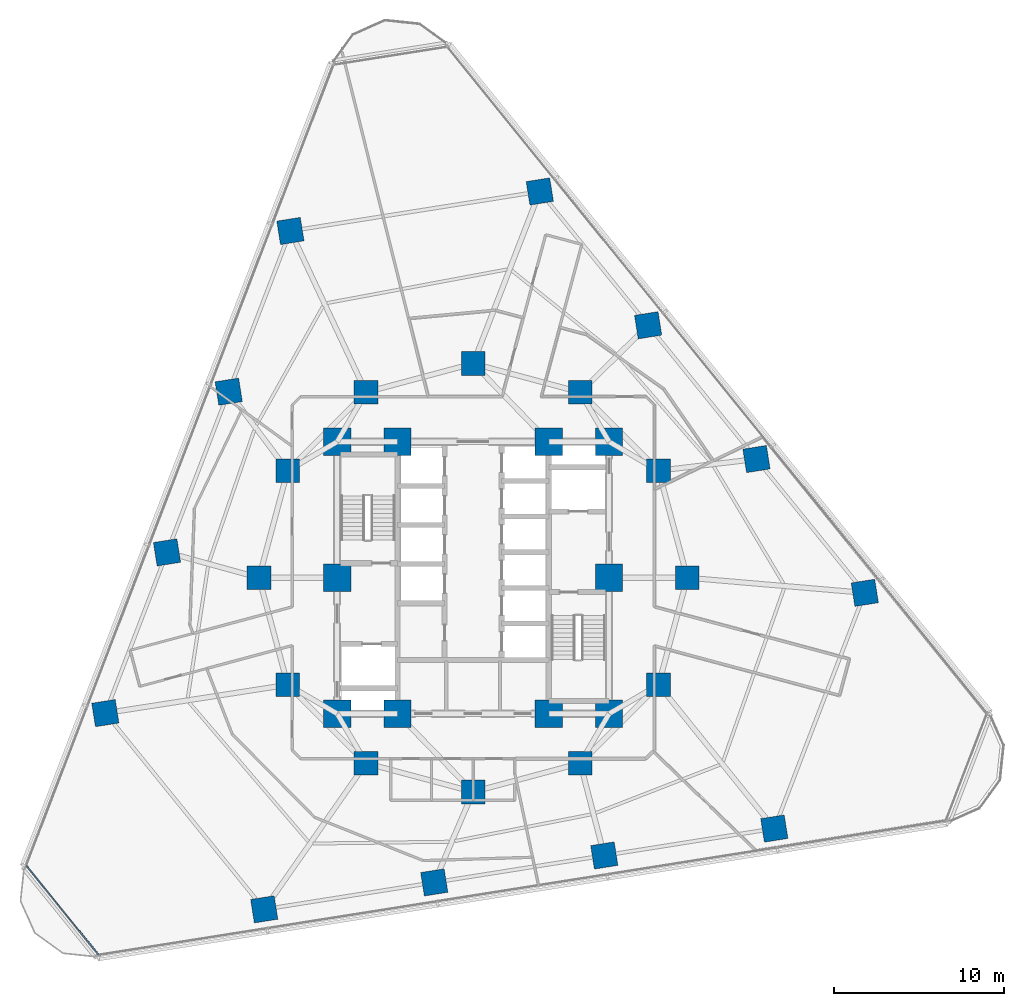
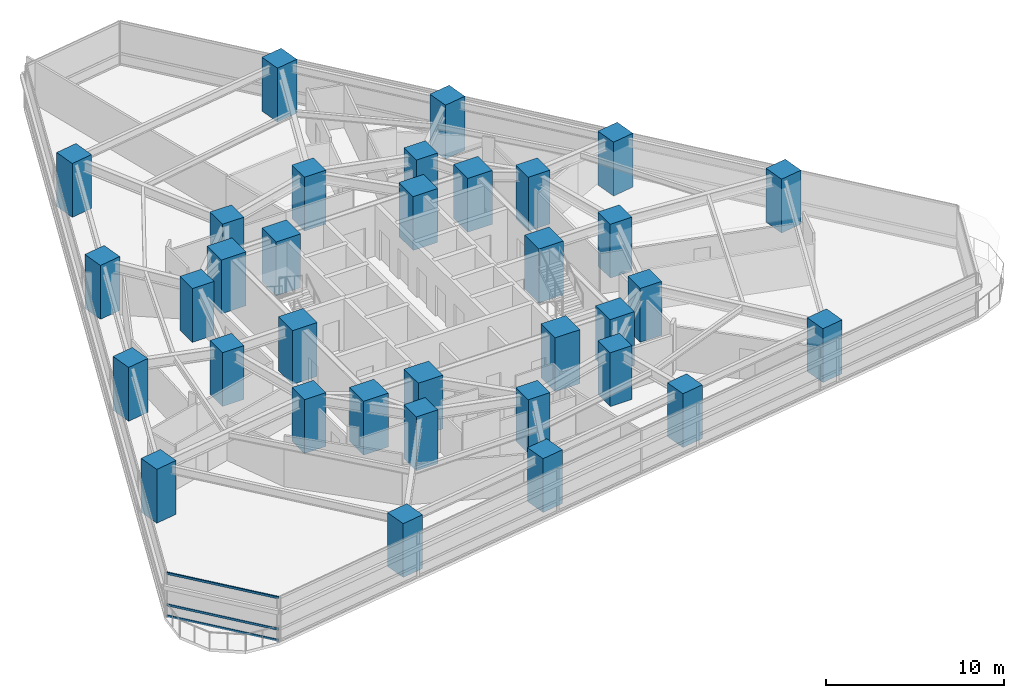
# One storey, part 1 of 14: 34 columns, 3 members, 1 element without a shape of its own.
"""IFC4 building model written with IfcOpenShell, lengths in metres."""

import ifcopenshell
import ifcopenshell.guid

model = None  # the IFC model being written
_history = None  # IfcOwnerHistory: only IFC2X3 demands one
_inside = {}  # id of a spatial element -> (the spatial element, [elements in it])
_under = {}  # id of a project, library or spatial element -> (it, [spatial elements below it])
_declared = {}  # id of a project -> (the project, [libraries it declares])
_typed = {}  # id of a type object -> (the type object, [elements of that type])
_made_of = {}  # id of a material, layer set ... -> (it, [elements and type objects made of it])


def new_model(schema):
    """Start an empty IFC model of exactly this schema.

    Asked for "IFC4X3", IfcOpenShell would pick the latest addendum, in which some entities
    have other attributes; the version numbers below select the first issue.
    IFC2X3 requires an IfcOwnerHistory on every rooted entity: one is made here for all.
    """
    global model, _history
    if schema == "IFC4X3":
        model = ifcopenshell.file(schema_version=(4, 3, 0, 0))
    else:
        model = ifcopenshell.file(schema=schema)
    _inside.clear()
    _under.clear()
    _declared.clear()
    _typed.clear()
    _made_of.clear()
    _history = None
    if model.schema == "IFC2X3":
        org = make("IfcOrganization", Name="unknown")
        user = make(
            "IfcPersonAndOrganization",
            ThePerson=make("IfcPerson", FamilyName="unknown"),
            TheOrganization=org,
        )
        app = make(
            "IfcApplication",
            ApplicationDeveloper=org,
            Version="unknown",
            ApplicationFullName="unknown",
            ApplicationIdentifier="unknown",
        )
        _history = make(
            "IfcOwnerHistory",
            OwningUser=user,
            OwningApplication=app,
            ChangeAction="ADDED",
            CreationDate=0,
        )
    return model


def make(cls, **values):
    """One entity of the class cls with the attributes given. An attribute that is None is left unset."""
    return model.create_entity(
        cls, **{name: value for name, value in values.items() if value is not None}
    )


def rooted(cls, **values):
    """An entity with a GlobalId (a new one), such as an element, a storey or a relation."""
    return make(cls, GlobalId=ifcopenshell.guid.new(), OwnerHistory=_history, **values)


def si_unit(unit_type, name, prefix=None):
    """IfcSIUnit, for example si_unit("LENGTHUNIT", "METRE", prefix="MILLI")."""
    return make("IfcSIUnit", UnitType=unit_type, Prefix=prefix, Name=name)


def assignment(units):
    """IfcUnitAssignment: the units of a project."""
    return None if units is None else make("IfcUnitAssignment", Units=units)


def point(xyz):
    """IfcCartesianPoint."""
    return None if xyz is None else make("IfcCartesianPoint", Coordinates=xyz)


def direction(xyz):
    """IfcDirection."""
    return None if xyz is None else make("IfcDirection", DirectionRatios=xyz)


def frame(location, z_axis=None, x_axis=None):
    """IfcAxis2Placement3D, a coordinate frame: its origin and axes. An axis left out is left unset."""
    return make(
        "IfcAxis2Placement3D",
        Location=point(location),
        Axis=direction(z_axis),
        RefDirection=direction(x_axis),
    )


def frame_2d(location, x_axis=None):
    """IfcAxis2Placement2D, a coordinate frame in the plane: its origin and x axis."""
    return make(
        "IfcAxis2Placement2D", Location=point(location), RefDirection=direction(x_axis)
    )


def origin():
    """The frame at (0, 0, 0) with its axes left unset."""
    return frame((0.0, 0.0, 0.0))


def origin_2d():
    """The frame at (0, 0) in the plane with its x axis left unset."""
    return frame_2d((0.0, 0.0))


def place(relative_to, where):
    """IfcLocalPlacement: puts the frame where relative to a parent placement (None: the world)."""
    return make(
        "IfcLocalPlacement", PlacementRelTo=relative_to, RelativePlacement=where
    )


def context(
    kind, dimensions, precision=None, world=None, true_north=None, identifier=None
):
    """IfcGeometricRepresentationContext, for example the 3D "Model" context."""
    return make(
        "IfcGeometricRepresentationContext",
        ContextIdentifier=identifier,
        ContextType=kind,
        CoordinateSpaceDimension=dimensions,
        Precision=precision,
        WorldCoordinateSystem=world,
        TrueNorth=true_north,
    )


def subcontext(parent, identifier, kind, view, scale=None):
    """IfcGeometricRepresentationSubContext, for example "Body" below "Model"."""
    return make(
        "IfcGeometricRepresentationSubContext",
        ContextIdentifier=identifier,
        ContextType=kind,
        ParentContext=parent,
        TargetScale=scale,
        TargetView=view,
    )


def project(units=None, contexts=None):
    """IfcProject with its units and contexts."""
    return rooted(
        "IfcProject",
        Name="project",
        RepresentationContexts=contexts,
        UnitsInContext=assignment(units),
    )


def spatial(cls, under=None, at=None, **own):
    """A site, building, storey or space (cls), placed at a placement, below another one or the project."""
    s = rooted(cls, ObjectPlacement=at, **own)
    if under is not None:
        _under.setdefault(under.id(), (under, []))[1].append(s)
    return s


def profile(cls, at=None, kind="AREA", **sizes):
    """A parametric profile (cls). Its sizes go by their IFC names, for example OverallWidth=200.0."""
    return make(cls, ProfileType=kind, Position=at, **sizes)


def rectangle(**sizes):
    """IfcRectangleProfileDef."""
    return profile("IfcRectangleProfileDef", **sizes)


def extrude(swept, where, along, depth):
    """IfcExtrudedAreaSolid: the profile swept, set in the frame where, extruded along a direction by depth."""
    return make(
        "IfcExtrudedAreaSolid",
        SweptArea=swept,
        Position=where,
        ExtrudedDirection=direction(along),
        Depth=depth,
    )


def shape(context_of_items, identifier, shape_type, items):
    """IfcShapeRepresentation: the items that make up one representation, for example the "Body"."""
    return make(
        "IfcShapeRepresentation",
        ContextOfItems=context_of_items,
        RepresentationIdentifier=identifier,
        RepresentationType=shape_type,
        Items=items,
    )


def material(Name=None, Category=None):
    """IfcMaterial."""
    return make("IfcMaterial", Name=Name, Category=Category)


def layer(
    of_material, thickness, ventilated=None, Name=None, Category=None, Priority=None
):
    """IfcMaterialLayer: one layer of a wall or slab, of a material (None: an air gap)."""
    return make(
        "IfcMaterialLayer",
        Material=of_material,
        LayerThickness=thickness,
        IsVentilated=ventilated,
        Name=Name,
        Category=Category,
        Priority=Priority,
    )


def layer_set(layers, Name=None):
    """IfcMaterialLayerSet."""
    return make("IfcMaterialLayerSet", MaterialLayers=layers, LayerSetName=Name)


def material_profile(
    of_material, cross_section, Name=None, Category=None, Priority=None
):
    """IfcMaterialProfile: a cross section and its material."""
    return make(
        "IfcMaterialProfile",
        Name=Name,
        Material=of_material,
        Profile=cross_section,
        Priority=Priority,
        Category=Category,
    )


def profile_set(profiles, Name=None, composite=None):
    """IfcMaterialProfileSet."""
    return make(
        "IfcMaterialProfileSet",
        Name=Name,
        MaterialProfiles=profiles,
        CompositeProfile=composite,
    )


def made_of(thing, what):
    """Note that an element or type object is made of a material, layer set ...; save() writes the relation."""
    if what is not None:
        _made_of.setdefault(what.id(), (what, []))[1].append(thing)
    return thing


def type_object(cls, material=None, **own):
    """A type object (cls), such as IfcWallType, which elements share."""
    return made_of(rooted(cls, **own), material)


def element(
    cls,
    number,
    at=None,
    inside=None,
    cuts=None,
    type_object=None,
    material=None,
    context=None,
    identifier="Body",
    shape_type=None,
    held_by="IfcProductDefinitionShape",
    body=None,
    shapes=None,
    **own,
):
    """One element of the class cls, such as IfcWall. Its Tag is "e" and its number.

    at: its placement. inside: the storey or other place that contains it. cuts: it is an
    opening in that element (IfcRelVoidsElement). A single representation is given by context,
    identifier, shape_type and body (its items); several are given by shapes. held_by: the class
    of the entity that holds the representations. save() writes the other relations.
    """
    e = rooted(cls, Tag="e%d" % number, ObjectPlacement=at, **own)
    if body is not None:
        shapes = [shape(context, identifier, shape_type, body)]
    if shapes is not None:
        e.Representation = make(held_by, Representations=shapes)
    if inside is not None:
        _inside.setdefault(inside.id(), (inside, []))[1].append(e)
    if cuts is not None:
        rooted(
            "IfcRelVoidsElement", RelatingBuildingElement=cuts, RelatedOpeningElement=e
        )
    if type_object is not None:
        _typed.setdefault(type_object.id(), (type_object, []))[1].append(e)
    return made_of(e, material)


def aggregate(whole, parts):
    """IfcRelAggregates: a whole, such as a stair, and the parts it consists of."""
    return rooted("IfcRelAggregates", RelatingObject=whole, RelatedObjects=parts)


def save(model, path):
    """Write the relations noted so far, then the file.

    IfcRelAggregates (storeys below a building ...), IfcRelContainedInSpatialStructure (elements
    in a storey), IfcRelDefinesByType, IfcRelAssociatesMaterial and IfcRelDeclares: one each for
    every whole, place, type object, material and project.
    """
    for whole, parts in _under.values():
        aggregate(whole, parts)
    for where, things in _inside.values():
        rooted(
            "IfcRelContainedInSpatialStructure",
            RelatedElements=things,
            RelatingStructure=where,
        )
    for kind, things in _typed.values():
        rooted("IfcRelDefinesByType", RelatedObjects=things, RelatingType=kind)
    for what, things in _made_of.values():
        rooted("IfcRelAssociatesMaterial", RelatedObjects=things, RelatingMaterial=what)
    for by, libraries in _declared.values():
        rooted("IfcRelDeclares", RelatingContext=by, RelatedDefinitions=libraries)
    model.write(path)


model = new_model("IFC4")

# Units and contexts
model_context = context("Model", 3, precision=1e-05, world=origin(), true_north=direction((0.0, 1.0)))
body_context = subcontext(model_context, "Body", "Model", "MODEL_VIEW")
ifc_project = project(units=[si_unit("LENGTHUNIT", "METRE"), si_unit("AREAUNIT", "SQUARE_METRE"), si_unit("VOLUMEUNIT", "CUBIC_METRE"), si_unit("PLANEANGLEUNIT", "RADIAN"), si_unit("MASSUNIT", "GRAM", prefix="KILO")], contexts=[model_context])

# Site, building, storey
site_placement = place(None, origin())
site = spatial("IfcSite", under=ifc_project, at=site_placement, CompositionType="ELEMENT")
building_placement = place(site_placement, origin())
building = spatial("IfcBuilding", under=site, at=building_placement, Name="Terralouvre Media Tower", CompositionType="ELEMENT")
storey_placement = place(building_placement, frame((0.0, 0.0, 70.39990234375)))
storey = spatial("IfcBuildingStorey", under=building, at=storey_placement, Name="L17", CompositionType="ELEMENT", Elevation=70.39990234375)

# Columns
ifc_material_1 = material(Name="Concrete C60/75", Category="concrete")
ifc_material_profile_1 = material_profile(ifc_material_1, rectangle(XDim=1.39990234375, YDim=1.39990234375, at=origin_2d()), Name="RC 1400x1400")
ifc_profile_set_1 = profile_set([ifc_material_profile_1], Name="Concrete C60/75")
column_type_1 = type_object("IfcColumnType", Name="Structural Column C-RC1400 (RC 1400x1400)", PredefinedType="COLUMN", material=ifc_profile_set_1)
for number, where, z_axis, x_axis, name in (
    (1, (12.60009765625, 0.0, 0.0), (0.0, 0.0, 1.0), (1.0, 0.0, 0.0), "L17 Mega-Frame Column MC01"),
    (2, (10.911865234375, 6.300048828125, 0.0), (0.0, 0.0, 1.0), (1.0, 0.0, 0.0), "L17 Mega-Frame Column MC02"),
    (3, (6.300048828125, 10.911865234375, 0.0), (0.0, 0.0, 1.0), (1.0, 0.0, 0.0), "L17 Mega-Frame Column MC03"),
    (4, (0.0, 12.60009765625, 0.0), (0.0, 0.0, 1.0), (1.0, 0.0, 0.0), "L17 Mega-Frame Column MC04"),
    (5, (-6.300048828125, 10.911865234375, 0.0), (0.0, 0.0, 1.0), (1.0, 0.0, 0.0), "L17 Mega-Frame Column MC05"),
    (6, (-10.911865234375, 6.300048828125, 0.0), (0.0, 0.0, 1.0), (1.0, 0.0, 0.0), "L17 Mega-Frame Column MC06"),
    (7, (-12.60009765625, 0.0, 0.0), (0.0, 0.0, 1.0), (1.0, 0.0, 0.0), "L17 Mega-Frame Column MC07"),
    (8, (-10.911865234375, -6.300048828125, 0.0), (0.0, 0.0, 1.0), (1.0, 0.0, 0.0), "L17 Mega-Frame Column MC08"),
    (9, (-6.300048828125, -10.911865234375, 0.0), (0.0, 0.0, 1.0), (1.0, 0.0, 0.0), "L17 Mega-Frame Column MC09"),
    (10, (0.0, -12.60009765625, 0.0), (0.0, 0.0, 1.0), (1.0, 0.0, 0.0), "L17 Mega-Frame Column MC10"),
    (11, (6.300048828125, -10.911865234375, 0.0), (0.0, 0.0, 1.0), (1.0, 0.0, 0.0), "L17 Mega-Frame Column MC11"),
    (12, (10.911865234375, -6.300048828125, 0.0), (0.0, 0.0, 1.0), (1.0, 0.0, 0.0), "L17 Mega-Frame Column MC12"),
    (13, (-12.291015625, -19.511474609375, 0.0), (0.0, 0.0, 1.0), (0.987688340595, 0.15643446504, 0.0), "L17 Perimeter Mega-Column PC11"),
    (14, (-2.287841796875, -17.927001953125, 0.0), (0.0, 0.0, 1.0), (0.987688340595, 0.15643446504, 0.0), "L17 Perimeter Mega-Column PC12"),
    (15, (7.715576171875, -16.3427734375, 0.0), (0.0, 0.0, 1.0), (0.987688340595, 0.15643446504, 0.0), "L17 Perimeter Mega-Column PC13"),
    (16, (17.71875, -14.75830078125, 0.0), (0.0, 0.0, 1.0), (0.987688340595, 0.15643446504, 0.0), "L17 Perimeter Mega-Column PC14"),
    (17, (23.04296875, -0.888671875, 0.0), (0.0, 0.0, 1.0), (0.987688340595, 0.15643446504, 0.0), "L17 Perimeter Mega-Column PC21"),
    (18, (16.669189453125, 6.982421875, 0.0), (0.0, 0.0, 1.0), (0.987688340595, 0.15643446504, 0.0), "L17 Perimeter Mega-Column PC22"),
    (19, (10.29541015625, 14.853271484375, 0.0), (0.0, 0.0, 1.0), (0.987688340595, 0.15643446504, 0.0), "L17 Perimeter Mega-Column PC23"),
    (20, (3.921630859375, 22.72412109375, 0.0), (0.0, 0.0, 1.0), (0.987688340595, 0.15643446504, 0.0), "L17 Perimeter Mega-Column PC24"),
    (21, (-10.751953125, 20.400146484375, 0.0), (0.0, 0.0, 1.0), (0.987688340595, 0.15643446504, 0.0), "L17 Perimeter Mega-Column PC31"),
    (22, (-14.38134765625, 10.94482421875, 0.0), (0.0, 0.0, 1.0), (0.987688340595, 0.15643446504, 0.0), "L17 Perimeter Mega-Column PC32"),
    (23, (-18.010986328125, 1.489501953125, 0.0), (0.0, 0.0, 1.0), (0.987688340595, 0.15643446504, 0.0), "L17 Perimeter Mega-Column PC33"),
    (24, (-21.640625, -7.9658203125, 0.0), (0.0, 0.0, 1.0), (0.987688340595, 0.15643446504, 0.0), "L17 Perimeter Mega-Column PC34"),
):
    element("IfcColumn", number, at=place(storey_placement, frame(where, z_axis=z_axis, x_axis=x_axis)), inside=storey, type_object=column_type_1, Name=name, PredefinedType="COLUMN", context=body_context, shape_type="SweptSolid", body=[
        extrude(rectangle(XDim=1.39990234375, YDim=1.39990234375, at=origin_2d()), origin(), (0.0, 0.0, 1.0), 3.7001953125),
    ])
ifc_material_2 = material(Name="Concrete C60/75", Category="concrete")
ifc_material_profile_2 = material_profile(ifc_material_2, rectangle(XDim=1.60009765625, YDim=1.60009765625, at=origin_2d()), Name="RC 1600x1600")
ifc_profile_set_2 = profile_set([ifc_material_profile_2], Name="Concrete C60/75")
column_type_2 = type_object("IfcColumnType", Name="Structural Column C-RC1600 (RC 1600x1600)", PredefinedType="COLUMN", material=ifc_profile_set_2)
for number, where, z_axis, x_axis, name in (
    (25, (-8.0, -8.0, 0.0), (0.0, 0.0, 1.0), (1.0, 0.0, 0.0), "L17 Core Pilaster Column CP1"),
    (26, (-4.449951171875, -8.0, 0.0), (0.0, 0.0, 1.0), (1.0, 0.0, 0.0), "L17 Core Pilaster Column CP2"),
    (27, (4.449951171875, -8.0, 0.0), (0.0, 0.0, 1.0), (1.0, 0.0, 0.0), "L17 Core Pilaster Column CP10"),
    (28, (8.0, -8.0, 0.0), (0.0, 0.0, 1.0), (1.0, 0.0, 0.0), "L17 Core Pilaster Column CP3"),
    (29, (8.0, 0.0, 0.0), (0.0, 0.0, 1.0), (1.0, 0.0, 0.0), "L17 Core Pilaster Column CP4"),
    (30, (8.0, 8.0, 0.0), (0.0, 0.0, 1.0), (1.0, 0.0, 0.0), "L17 Core Pilaster Column CP5"),
    (31, (4.449951171875, 8.0, 0.0), (0.0, 0.0, 1.0), (1.0, 0.0, 0.0), "L17 Core Pilaster Column CP9"),
    (32, (-4.449951171875, 8.0, 0.0), (0.0, 0.0, 1.0), (1.0, 0.0, 0.0), "L17 Core Pilaster Column CP6"),
    (33, (-8.0, 8.0, 0.0), (0.0, 0.0, 1.0), (1.0, 0.0, 0.0), "L17 Core Pilaster Column CP7"),
    (34, (-8.0, 0.0, 0.0), (0.0, 0.0, 1.0), (1.0, 0.0, 0.0), "L17 Core Pilaster Column CP8"),
):
    element("IfcColumn", number, at=place(storey_placement, frame(where, z_axis=z_axis, x_axis=x_axis)), inside=storey, type_object=column_type_2, Name=name, PredefinedType="COLUMN", context=body_context, shape_type="SweptSolid", body=[
        extrude(rectangle(XDim=1.60009765625, YDim=1.60009765625, at=origin_2d()), origin(), (0.0, 0.0, 1.0), 3.7001953125),
    ])

# Curtain wall, members
ifc_material_3 = material(Name="Low-iron laminated double glazing with solar-control coating", Category="glass")
ifc_layer = layer(ifc_material_3, 0.1650390625, Name="Rounded Wind-Corner Curved Glazing CW-04")
ifc_layer_set = layer_set([ifc_layer], Name="Low-iron laminated double glazing with solar-control coating")
curtain_wall_type = type_object("IfcCurtainWallType", Name="Rounded Wind-Corner Curved Glazing CW-04", PredefinedType="NOTDEFINED", material=ifc_layer_set)
curtain_wall_placement = place(storey_placement, origin())
curtain_wall = element("IfcCurtainWall", 35, at=curtain_wall_placement, inside=storey, type_object=curtain_wall_type, Name="L17 Rounded Wind-Corner Curtain Wall C0", PredefinedType="NOTDEFINED")
ifc_material_4 = material(Name="Anodised extruded aluminium 6063-T6", Category="aluminium")
ifc_material_profile_3 = material_profile(ifc_material_4, rectangle(XDim=0.074951171875, YDim=0.14990234375, at=origin_2d()), Name="ALU 75x150")
ifc_profile_set_3 = profile_set([ifc_material_profile_3], Name="Anodised extruded aluminium 6063-T6")
member_type = type_object("IfcMemberType", Name="Curtain-Wall Horizontal Transom TR-150", PredefinedType="USERDEFINED", material=ifc_profile_set_3)
member_1_placement = place(storey_placement, frame((-26.281005859375, -16.943359375, 0.03759765625), z_axis=(0.629324238094, -0.777142846167, 0.0), x_axis=(0.777142846167, 0.629324238094, 0.0)))
member_1 = element("IfcMember", 36, at=member_1_placement, type_object=member_type, Name="CW-04 transom 1.1", ObjectType="TRANSOM", PredefinedType="USERDEFINED", context=body_context, shape_type="SweptSolid", body=[
    extrude(rectangle(XDim=0.074951171875, YDim=0.14990234375, at=origin_2d()), origin(), (0.0, 0.0, 1.0), 6.74365234375),
])
member_2_placement = place(storey_placement, frame((-26.281005859375, -16.943359375, 0.800048828125), z_axis=(0.629324238094, -0.777142846167, 0.0), x_axis=(0.777142846167, 0.629324238094, 0.0)))
member_2 = element("IfcMember", 37, at=member_2_placement, type_object=member_type, Name="CW-04 transom 1.2", ObjectType="TRANSOM", PredefinedType="USERDEFINED", context=body_context, shape_type="SweptSolid", body=[
    extrude(rectangle(XDim=0.074951171875, YDim=0.14990234375, at=origin_2d()), origin(), (0.0, 0.0, 1.0), 6.74365234375),
])
member_3_placement = place(storey_placement, frame((-26.281005859375, -16.943359375, 2.962646484375), z_axis=(0.629324238094, -0.777142846167, 0.0), x_axis=(0.777142846167, 0.629324238094, 0.0)))
member_3 = element("IfcMember", 38, at=member_3_placement, type_object=member_type, Name="CW-04 transom 1.3", ObjectType="TRANSOM", PredefinedType="USERDEFINED", context=body_context, shape_type="SweptSolid", body=[
    extrude(rectangle(XDim=0.074951171875, YDim=0.14990234375, at=origin_2d()), origin(), (0.0, 0.0, 1.0), 6.74365234375),
])
aggregate(curtain_wall, [member_1, member_2, member_3])

save(model, "model.ifc")
